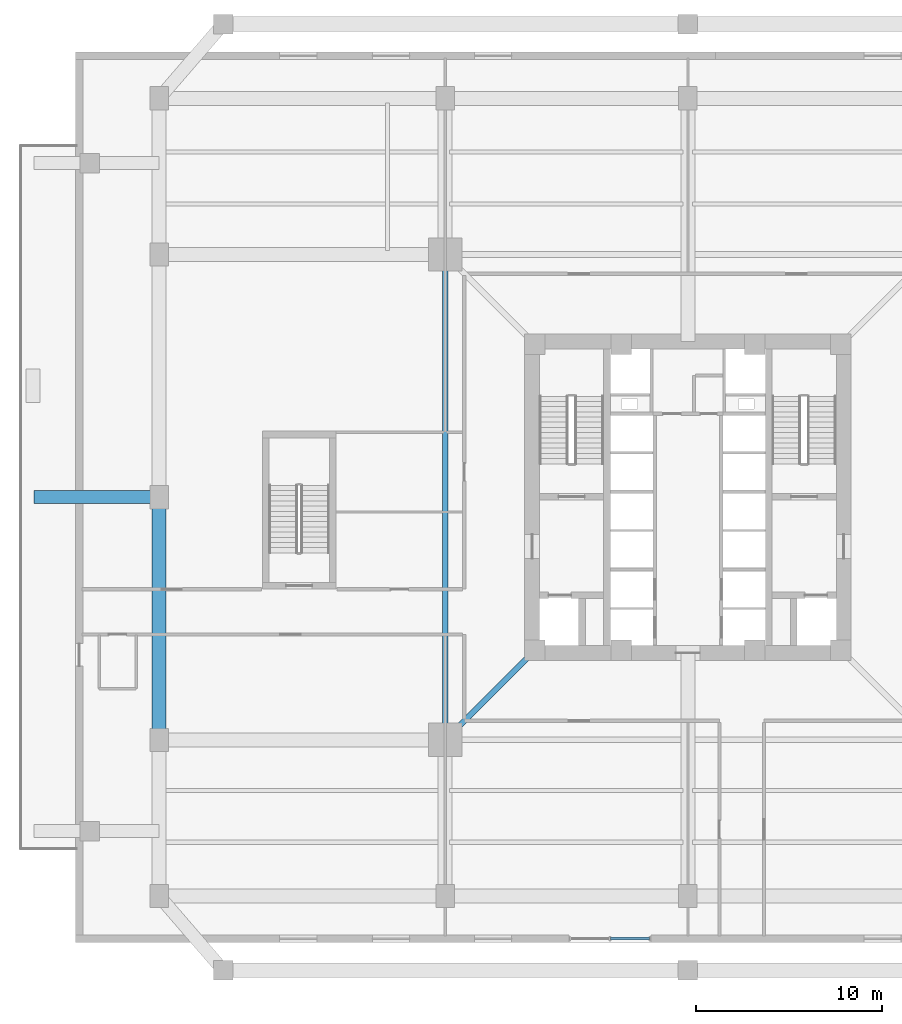
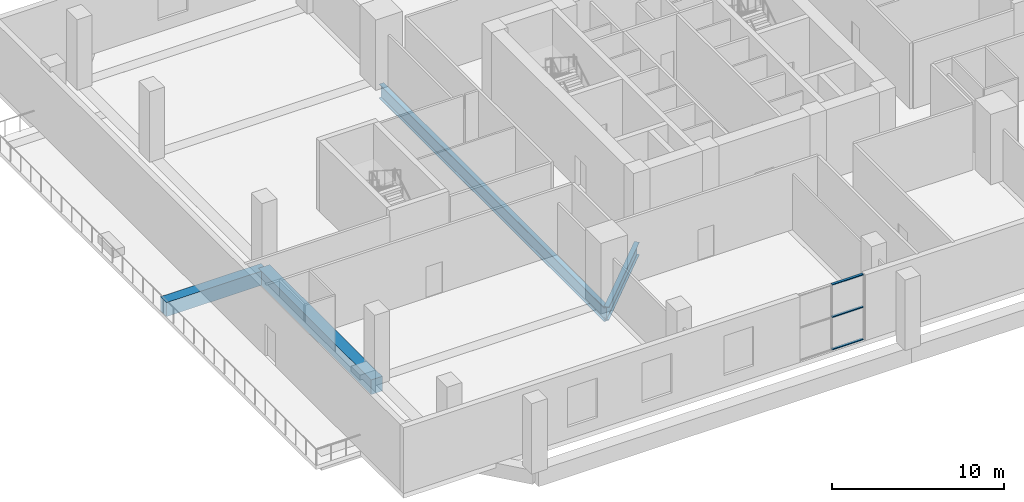
# One storey, part 3 of 14: 4 beams, 3 members, 1 element without a shape of its own.
"""IFC4 building model written with IfcOpenShell, lengths in metres."""

from ifc_helpers import new_model, si_unit, direction, frame, origin, origin_2d, place, context, subcontext, project, spatial, rectangle, hollow_rectangle, i_section, extrude, source, transform, mapped, material, layer, layer_set, material_profile, profile_set, type_object, element, aggregate, save


model = new_model("IFC4")

# Units and contexts
model_context = context("Model", 3, precision=1e-05, world=origin(), true_north=direction((0.0, 1.0)))
body_context = subcontext(model_context, "Body", "Model", "MODEL_VIEW")
ifc_project = project(units=[si_unit("LENGTHUNIT", "METRE"), si_unit("AREAUNIT", "SQUARE_METRE"), si_unit("VOLUMEUNIT", "CUBIC_METRE"), si_unit("PLANEANGLEUNIT", "RADIAN"), si_unit("MASSUNIT", "GRAM", prefix="KILO"), si_unit("THERMODYNAMICTEMPERATUREUNIT", "KELVIN")], contexts=[model_context])

# Site, building, storey
site_placement = place(None, origin())
site = spatial("IfcSite", under=ifc_project, at=site_placement, CompositionType="ELEMENT")
building_placement = place(site_placement, origin())
building = spatial("IfcBuilding", under=site, at=building_placement, Name="Kosmvard Interchange Tower", CompositionType="ELEMENT")
storey_placement = place(building_placement, frame((0.0, 0.0, 16.0)))
storey = spatial("IfcBuildingStorey", under=building, at=storey_placement, Name="L03", CompositionType="ELEMENT", Elevation=16.0)

# Beams
ifc_material_1 = material(Name="Steel S460", Category="steel")
ifc_material_profile_1 = material_profile(ifc_material_1, i_section(OverallWidth=0.30810546875, OverallDepth=0.909912109375, WebThickness=0.02099609375, FlangeThickness=0.0400390625, FilletRadius=0.027099609375, at=origin_2d()), Name="HEM 900")
ifc_profile_set_1 = profile_set([ifc_material_profile_1], Name="Steel S460")
beam_type_1 = type_object("IfcBeamType", Name="Primary Mega-Frame Girder HEM 900 S460", PredefinedType="BEAM", material=ifc_profile_set_1)
shared_shape_1 = source(origin(), body_context, "Body", "SweptSolid", [
    extrude(i_section(OverallWidth=0.30810546875, OverallDepth=0.909912109375, WebThickness=0.02099609375, FlangeThickness=0.0400390625, FilletRadius=0.027099609375, at=origin_2d()), origin(), (0.0, 0.0, 1.0), 6.83203125),
])
beam_1_placement = place(storey_placement, frame((-8.25, -8.25, -0.794921875), z_axis=(-0.707106781187, -0.707106781187, 0.0), x_axis=(0.707106781187, -0.707106781187, 0.0)))
element("IfcBeam", 1, at=beam_1_placement, inside=storey, type_object=beam_type_1, Name="L03 Radial Mega-Frame Girder 1", PredefinedType="BEAM", context=body_context, shape_type="MappedRepresentation", body=[
    mapped(shared_shape_1, transform((0.0, 0.0, 0.0), scale=1.0)),
])
ifc_material_profile_2 = material_profile(ifc_material_1, i_section(OverallWidth=0.30908203125, OverallDepth=1.008056640625, WebThickness=0.02099609375, FlangeThickness=0.0400390625, FilletRadius=0.030029296875, at=origin_2d()), Name="HEM 1000")
ifc_profile_set_2 = profile_set([ifc_material_profile_2], Name="Steel S460")
beam_type_2 = type_object("IfcBeamType", Name="Mega-Column Ring Girder HEM 1000 S460", PredefinedType="BEAM", material=ifc_profile_set_2)
shared_shape_2 = source(origin(), body_context, "Body", "SweptSolid", [
    extrude(i_section(OverallWidth=0.30908203125, OverallDepth=1.008056640625, WebThickness=0.02099609375, FlangeThickness=0.0400390625, FilletRadius=0.030029296875, at=origin_2d()), origin(), (0.0, 0.0, 1.0), 26.162109375),
])
beam_2_placement = place(storey_placement, frame((-13.0810546875, 13.0810546875, -0.843994140625), z_axis=(0.0, -1.0, 0.0), x_axis=(1.0, 0.0, 0.0)))
element("IfcBeam", 2, at=beam_2_placement, inside=storey, type_object=beam_type_2, Name="L03 Mega-Column Ring Girder 4", PredefinedType="BEAM", context=body_context, shape_type="MappedRepresentation", body=[
    mapped(shared_shape_2, transform((0.0, 0.0, 0.0), scale=1.0)),
])
ifc_material_2 = material(Name="Concrete C60/75", Category="concrete")
ifc_material_profile_3 = material_profile(ifc_material_2, rectangle(XDim=0.75, YDim=1.050048828125, at=origin_2d()), Name="RCG 750x1050")
ifc_profile_set_3 = profile_set([ifc_material_profile_3], Name="Concrete C60/75")
beam_type_3 = type_object("IfcBeamType", Name="Concourse Mid-Span RC Girder 750x1050 C60/75", PredefinedType="BEAM", material=ifc_profile_set_3)
shared_shape_3 = source(origin(), body_context, "Body", "SweptSolid", [
    extrude(rectangle(XDim=0.75, YDim=1.050048828125, at=origin_2d()), origin(), (0.0, 0.0, 1.0), 13.0810546875),
])
beam_3_placement = place(storey_placement, frame((-28.5, -13.0810546875, -0.52490234375), z_axis=(0.0, 1.0, 0.0), x_axis=(-1.0, 0.0, 0.0)))
element("IfcBeam", 3, at=beam_3_placement, inside=storey, type_object=beam_type_3, Name="BM-L03-PG-W2", PredefinedType="BEAM", context=body_context, shape_type="MappedRepresentation", body=[
    mapped(shared_shape_3, transform((0.0, 0.0, 0.0), scale=1.0)),
])
ifc_material_profile_4 = material_profile(ifc_material_2, rectangle(XDim=0.699951171875, YDim=1.0, at=origin_2d()), Name="RCG 700x1000")
ifc_profile_set_4 = profile_set([ifc_material_profile_4], Name="Concrete C60/75")
beam_type_4 = type_object("IfcBeamType", Name="Concourse Primary RC Girder 700x1000 C60/75", PredefinedType="BEAM", material=ifc_profile_set_4)
shared_shape_4 = source(origin(), body_context, "Body", "SweptSolid", [
    extrude(rectangle(XDim=0.699951171875, YDim=1.0, at=origin_2d()), origin(), (0.0, 0.0, 1.0), 6.75),
])
beam_4_placement = place(storey_placement, frame((-28.5, 0.0, -0.5), z_axis=(-1.0, 0.0, 0.0), x_axis=(0.0, -1.0, 0.0)))
element("IfcBeam", 4, at=beam_4_placement, inside=storey, type_object=beam_type_4, Name="BM-L03-PG-TCW21", PredefinedType="BEAM", context=body_context, shape_type="MappedRepresentation", body=[
    mapped(shared_shape_4, transform((0.0, 0.0, 0.0), scale=1.0)),
])

# Curtain wall, members
ifc_material_3 = material(Name="Architectural anodised aluminium", Category="aluminium")
ifc_layer = layer(ifc_material_3, 0.199951171875, Name="Architectural anodised aluminium")
ifc_layer_set = layer_set([ifc_layer], Name="Architectural anodised aluminium")
curtain_wall_type = type_object("IfcCurtainWallType", Name="CW-2 Cascade Terrace Hall Curtain Wall", PredefinedType="NOTDEFINED", material=ifc_layer_set)
curtain_wall_placement = place(storey_placement, origin())
curtain_wall = element("IfcCurtainWall", 5, at=curtain_wall_placement, inside=storey, type_object=curtain_wall_type, Name="L03 South Terrace Hall Curtain Wall", PredefinedType="NOTDEFINED")
ifc_material_profile_5 = material_profile(ifc_material_3, hollow_rectangle(XDim=0.159912109375, YDim=0.06494140625, WallThickness=0.00390625, at=origin_2d()), Name="CWT 160x65x4")
ifc_profile_set_5 = profile_set([ifc_material_profile_5], Name="Architectural anodised aluminium")
member_type = type_object("IfcMemberType", Name="Standard CW Transom 160x65 Aluminium", PredefinedType="USERDEFINED", material=ifc_profile_set_5)
shared_shape_5 = source(origin(), body_context, "Body", "SweptSolid", [
    extrude(hollow_rectangle(XDim=0.159912109375, YDim=0.06494140625, WallThickness=0.00390625, at=origin_2d()), origin(), (0.0, 0.0, 1.0), 2.094970703125),
])
member_1_placement = place(storey_placement, frame((-4.1650390625, -23.800048828125, 0.032470703125), z_axis=(1.0, 0.0, 0.0), x_axis=(0.0, 1.0, 0.0)))
member_1 = element("IfcMember", 6, at=member_1_placement, type_object=member_type, Name="CW-2 transom 2.1", ObjectType="TRANSOM", PredefinedType="USERDEFINED", context=body_context, shape_type="MappedRepresentation", body=[
    mapped(shared_shape_5, transform((0.0, 0.0, 0.0), scale=1.0)),
])
member_2_placement = place(storey_placement, frame((-4.1650390625, -23.800048828125, 2.330078125), z_axis=(1.0, 0.0, 0.0), x_axis=(0.0, 1.0, 0.0)))
member_2 = element("IfcMember", 7, at=member_2_placement, type_object=member_type, Name="CW-2 transom 2.2", ObjectType="TRANSOM", PredefinedType="USERDEFINED", context=body_context, shape_type="MappedRepresentation", body=[
    mapped(shared_shape_5, transform((0.0, 0.0, 0.0), scale=1.0)),
])
member_3_placement = place(storey_placement, frame((-4.1650390625, -23.800048828125, 4.62744140625), z_axis=(1.0, 0.0, 0.0), x_axis=(0.0, 1.0, 0.0)))
member_3 = element("IfcMember", 8, at=member_3_placement, type_object=member_type, Name="CW-2 transom 2.3", ObjectType="TRANSOM", PredefinedType="USERDEFINED", context=body_context, shape_type="MappedRepresentation", body=[
    mapped(shared_shape_5, transform((0.0, 0.0, 0.0), scale=1.0)),
])
aggregate(curtain_wall, [member_1, member_2, member_3])

save(model, "model.ifc")
